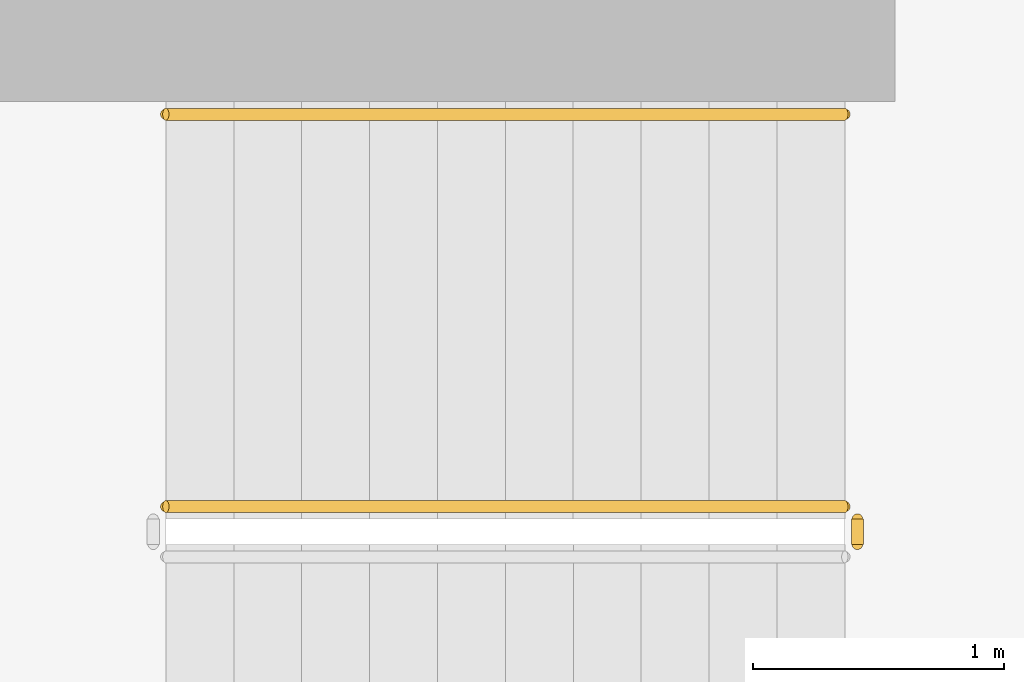
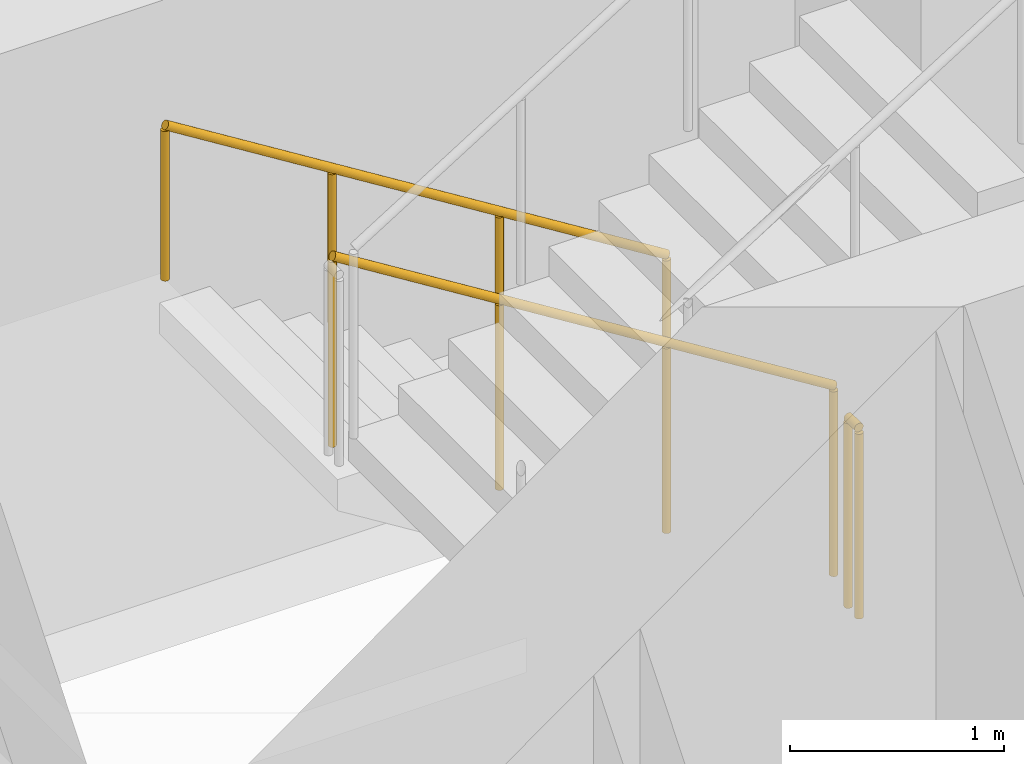
# One storey, part 15 of 16: 3 railings.
"""IFC4 building model written with IfcOpenShell, lengths in metres."""

import ifcopenshell
import ifcopenshell.guid

model = None  # the IFC model being written
_history = None  # IfcOwnerHistory: only IFC2X3 demands one
_inside = {}  # id of a spatial element -> (the spatial element, [elements in it])
_under = {}  # id of a project, library or spatial element -> (it, [spatial elements below it])
_declared = {}  # id of a project -> (the project, [libraries it declares])
_typed = {}  # id of a type object -> (the type object, [elements of that type])
_made_of = {}  # id of a material, layer set ... -> (it, [elements and type objects made of it])


def new_model(schema):
    """Start an empty IFC model of exactly this schema.

    Asked for "IFC4X3", IfcOpenShell would pick the latest addendum, in which some entities
    have other attributes; the version numbers below select the first issue.
    IFC2X3 requires an IfcOwnerHistory on every rooted entity: one is made here for all.
    """
    global model, _history
    if schema == "IFC4X3":
        model = ifcopenshell.file(schema_version=(4, 3, 0, 0))
    else:
        model = ifcopenshell.file(schema=schema)
    _inside.clear()
    _under.clear()
    _declared.clear()
    _typed.clear()
    _made_of.clear()
    _history = None
    if model.schema == "IFC2X3":
        org = make("IfcOrganization", Name="unknown")
        user = make(
            "IfcPersonAndOrganization",
            ThePerson=make("IfcPerson", FamilyName="unknown"),
            TheOrganization=org,
        )
        app = make(
            "IfcApplication",
            ApplicationDeveloper=org,
            Version="unknown",
            ApplicationFullName="unknown",
            ApplicationIdentifier="unknown",
        )
        _history = make(
            "IfcOwnerHistory",
            OwningUser=user,
            OwningApplication=app,
            ChangeAction="ADDED",
            CreationDate=0,
        )
    return model


def make(cls, **values):
    """One entity of the class cls with the attributes given. An attribute that is None is left unset."""
    return model.create_entity(
        cls, **{name: value for name, value in values.items() if value is not None}
    )


def rooted(cls, **values):
    """An entity with a GlobalId (a new one), such as an element, a storey or a relation."""
    return make(cls, GlobalId=ifcopenshell.guid.new(), OwnerHistory=_history, **values)


def si_unit(unit_type, name, prefix=None):
    """IfcSIUnit, for example si_unit("LENGTHUNIT", "METRE", prefix="MILLI")."""
    return make("IfcSIUnit", UnitType=unit_type, Prefix=prefix, Name=name)


def assignment(units):
    """IfcUnitAssignment: the units of a project."""
    return None if units is None else make("IfcUnitAssignment", Units=units)


def point(xyz):
    """IfcCartesianPoint."""
    return None if xyz is None else make("IfcCartesianPoint", Coordinates=xyz)


def direction(xyz):
    """IfcDirection."""
    return None if xyz is None else make("IfcDirection", DirectionRatios=xyz)


def frame(location, z_axis=None, x_axis=None):
    """IfcAxis2Placement3D, a coordinate frame: its origin and axes. An axis left out is left unset."""
    return make(
        "IfcAxis2Placement3D",
        Location=point(location),
        Axis=direction(z_axis),
        RefDirection=direction(x_axis),
    )


def frame_2d(location, x_axis=None):
    """IfcAxis2Placement2D, a coordinate frame in the plane: its origin and x axis."""
    return make(
        "IfcAxis2Placement2D", Location=point(location), RefDirection=direction(x_axis)
    )


def origin():
    """The frame at (0, 0, 0) with its axes left unset."""
    return frame((0.0, 0.0, 0.0))


def origin_2d():
    """The frame at (0, 0) in the plane with its x axis left unset."""
    return frame_2d((0.0, 0.0))


def place(relative_to, where):
    """IfcLocalPlacement: puts the frame where relative to a parent placement (None: the world)."""
    return make(
        "IfcLocalPlacement", PlacementRelTo=relative_to, RelativePlacement=where
    )


def context(
    kind, dimensions, precision=None, world=None, true_north=None, identifier=None
):
    """IfcGeometricRepresentationContext, for example the 3D "Model" context."""
    return make(
        "IfcGeometricRepresentationContext",
        ContextIdentifier=identifier,
        ContextType=kind,
        CoordinateSpaceDimension=dimensions,
        Precision=precision,
        WorldCoordinateSystem=world,
        TrueNorth=true_north,
    )


def subcontext(parent, identifier, kind, view, scale=None):
    """IfcGeometricRepresentationSubContext, for example "Body" below "Model"."""
    return make(
        "IfcGeometricRepresentationSubContext",
        ContextIdentifier=identifier,
        ContextType=kind,
        ParentContext=parent,
        TargetScale=scale,
        TargetView=view,
    )


def project(units=None, contexts=None):
    """IfcProject with its units and contexts."""
    return rooted(
        "IfcProject",
        Name="project",
        RepresentationContexts=contexts,
        UnitsInContext=assignment(units),
    )


def spatial(cls, under=None, at=None, **own):
    """A site, building, storey or space (cls), placed at a placement, below another one or the project."""
    s = rooted(cls, ObjectPlacement=at, **own)
    if under is not None:
        _under.setdefault(under.id(), (under, []))[1].append(s)
    return s


def profile(cls, at=None, kind="AREA", **sizes):
    """A parametric profile (cls). Its sizes go by their IFC names, for example OverallWidth=200.0."""
    return make(cls, ProfileType=kind, Position=at, **sizes)


def circle(**sizes):
    """IfcCircleProfileDef."""
    return profile("IfcCircleProfileDef", **sizes)


def extrude(swept, where, along, depth):
    """IfcExtrudedAreaSolid: the profile swept, set in the frame where, extruded along a direction by depth."""
    return make(
        "IfcExtrudedAreaSolid",
        SweptArea=swept,
        Position=where,
        ExtrudedDirection=direction(along),
        Depth=depth,
    )


def shape(context_of_items, identifier, shape_type, items):
    """IfcShapeRepresentation: the items that make up one representation, for example the "Body"."""
    return make(
        "IfcShapeRepresentation",
        ContextOfItems=context_of_items,
        RepresentationIdentifier=identifier,
        RepresentationType=shape_type,
        Items=items,
    )


def material(Name=None, Category=None):
    """IfcMaterial."""
    return make("IfcMaterial", Name=Name, Category=Category)


def made_of(thing, what):
    """Note that an element or type object is made of a material, layer set ...; save() writes the relation."""
    if what is not None:
        _made_of.setdefault(what.id(), (what, []))[1].append(thing)
    return thing


def type_object(cls, material=None, **own):
    """A type object (cls), such as IfcWallType, which elements share."""
    return made_of(rooted(cls, **own), material)


def element(
    cls,
    number,
    at=None,
    inside=None,
    cuts=None,
    type_object=None,
    material=None,
    context=None,
    identifier="Body",
    shape_type=None,
    held_by="IfcProductDefinitionShape",
    body=None,
    shapes=None,
    **own,
):
    """One element of the class cls, such as IfcWall. Its Tag is "e" and its number.

    at: its placement. inside: the storey or other place that contains it. cuts: it is an
    opening in that element (IfcRelVoidsElement). A single representation is given by context,
    identifier, shape_type and body (its items); several are given by shapes. held_by: the class
    of the entity that holds the representations. save() writes the other relations.
    """
    e = rooted(cls, Tag="e%d" % number, ObjectPlacement=at, **own)
    if body is not None:
        shapes = [shape(context, identifier, shape_type, body)]
    if shapes is not None:
        e.Representation = make(held_by, Representations=shapes)
    if inside is not None:
        _inside.setdefault(inside.id(), (inside, []))[1].append(e)
    if cuts is not None:
        rooted(
            "IfcRelVoidsElement", RelatingBuildingElement=cuts, RelatedOpeningElement=e
        )
    if type_object is not None:
        _typed.setdefault(type_object.id(), (type_object, []))[1].append(e)
    return made_of(e, material)


def aggregate(whole, parts):
    """IfcRelAggregates: a whole, such as a stair, and the parts it consists of."""
    return rooted("IfcRelAggregates", RelatingObject=whole, RelatedObjects=parts)


def save(model, path):
    """Write the relations noted so far, then the file.

    IfcRelAggregates (storeys below a building ...), IfcRelContainedInSpatialStructure (elements
    in a storey), IfcRelDefinesByType, IfcRelAssociatesMaterial and IfcRelDeclares: one each for
    every whole, place, type object, material and project.
    """
    for whole, parts in _under.values():
        aggregate(whole, parts)
    for where, things in _inside.values():
        rooted(
            "IfcRelContainedInSpatialStructure",
            RelatedElements=things,
            RelatingStructure=where,
        )
    for kind, things in _typed.values():
        rooted("IfcRelDefinesByType", RelatedObjects=things, RelatingType=kind)
    for what, things in _made_of.values():
        rooted("IfcRelAssociatesMaterial", RelatedObjects=things, RelatingMaterial=what)
    for by, libraries in _declared.values():
        rooted("IfcRelDeclares", RelatingContext=by, RelatedDefinitions=libraries)
    model.write(path)


model = new_model("IFC4")

# Units and contexts
model_context = context("Model", 3, precision=1e-05, world=origin(), true_north=direction((0.0, 1.0)))
body_context = subcontext(model_context, "Body", "Model", "MODEL_VIEW")
ifc_project = project(units=[si_unit("LENGTHUNIT", "METRE"), si_unit("AREAUNIT", "SQUARE_METRE"), si_unit("VOLUMEUNIT", "CUBIC_METRE"), si_unit("PLANEANGLEUNIT", "RADIAN"), si_unit("MASSUNIT", "GRAM", prefix="KILO")], contexts=[model_context])

# Site, building, storey
site_placement = place(None, origin())
site = spatial("IfcSite", under=ifc_project, at=site_placement, CompositionType="ELEMENT")
building_placement = place(site_placement, origin())
building = spatial("IfcBuilding", under=site, at=building_placement, Name="Vermilion Reach Broadcast Tower", CompositionType="ELEMENT")
storey_placement = place(building_placement, frame((0.0, 0.0, 65.60009765625)))
storey = spatial("IfcBuildingStorey", under=building, at=storey_placement, Name="L13", CompositionType="ELEMENT", Elevation=65.60009765625)

# Railings
ifc_material_1 = material(Name="Stainless steel", Category="steel")
railing_type_1 = type_object("IfcRailingType", Name="Stair guard 1100", PredefinedType="GUARDRAIL", material=ifc_material_1)
railing_1_placement = place(storey_placement, frame((-1.0, 5.68994140625, 0.16796875)))
element("IfcRailing", 1, at=railing_1_placement, inside=storey, type_object=railing_type_1, Name="L13 ST2 stair guard 1", PredefinedType="GUARDRAIL", context=body_context, shape_type="SweptSolid", body=[
    extrude(circle(Radius=0.02392578125, at=origin_2d()), frame((0.0, 0.0, 1.076171875), z_axis=(-0.848786430784, 0.0, 0.528735846068), x_axis=(0.0, -1.0, 0.0)), (0.0, 0.0, 1.0), 3.180908203125),
    extrude(circle(Radius=0.02099609375, at=origin_2d()), origin(), (0.0, 0.0, 1.0), 1.052001953125),
    extrude(circle(Radius=0.02099609375, at=origin_2d()), frame((-0.89990234375, 0.0, 0.560546875)), (0.0, 0.0, 1.0), 1.052001953125),
    extrude(circle(Radius=0.02099609375, at=origin_2d()), frame((-1.800048828125, 0.0, 1.121337890625)), (0.0, 0.0, 1.0), 1.052001953125),
    extrude(circle(Radius=0.02099609375, at=origin_2d()), frame((-2.699951171875, 0.0, 1.681884765625)), (0.0, 0.0, 1.0), 1.052001953125),
])
railing_2_placement = place(storey_placement, frame((-0.949951171875, 5.639892578125, 0.0)))
element("IfcRailing", 2, at=railing_2_placement, inside=storey, type_object=railing_type_1, Name="L13 ST2 stair guard 4", PredefinedType="GUARDRAIL", context=body_context, shape_type="SweptSolid", body=[
    extrude(circle(Radius=0.02392578125, at=origin_2d()), frame((0.0, 0.0, 1.076171875), z_axis=(0.0, -1.0, 0.0), x_axis=(1.0, 0.0, 0.0)), (0.0, 0.0, 1.0), 0.099853515625),
    extrude(circle(Radius=0.02099609375, at=origin_2d()), origin(), (0.0, 0.0, 1.0), 1.052001953125),
    extrude(circle(Radius=0.02099609375, at=origin_2d()), frame((0.0, -0.099853515625, 0.0)), (0.0, 0.0, 1.0), 1.052001953125),
])
ifc_material_2 = material(Name="Stainless steel", Category="steel")
railing_type_2 = type_object("IfcRailingType", Name="Stair handrail", PredefinedType="HANDRAIL", material=ifc_material_2)
railing_3_placement = place(storey_placement, frame((-1.0, 7.25, 0.16796875)))
element("IfcRailing", 3, at=railing_3_placement, inside=storey, type_object=railing_type_2, Name="L13 ST2 stair handrail 1", PredefinedType="HANDRAIL", context=body_context, shape_type="SweptSolid", body=[
    extrude(circle(Radius=0.02392578125, at=origin_2d()), frame((0.0, 0.0, 0.8759765625), z_axis=(-0.848786430784, 0.0, 0.528735846068), x_axis=(0.0, -1.0, 0.0)), (0.0, 0.0, 1.0), 3.180908203125),
    extrude(circle(Radius=0.02099609375, at=origin_2d()), origin(), (0.0, 0.0, 1.0), 0.851806640625),
    extrude(circle(Radius=0.02099609375, at=origin_2d()), frame((-0.89990234375, 0.0, 0.560546875)), (0.0, 0.0, 1.0), 0.851806640625),
    extrude(circle(Radius=0.02099609375, at=origin_2d()), frame((-1.800048828125, 0.0, 1.121337890625)), (0.0, 0.0, 1.0), 0.851806640625),
    extrude(circle(Radius=0.02099609375, at=origin_2d()), frame((-2.699951171875, 0.0, 1.681884765625)), (0.0, 0.0, 1.0), 0.851806640625),
])

save(model, "model.ifc")
